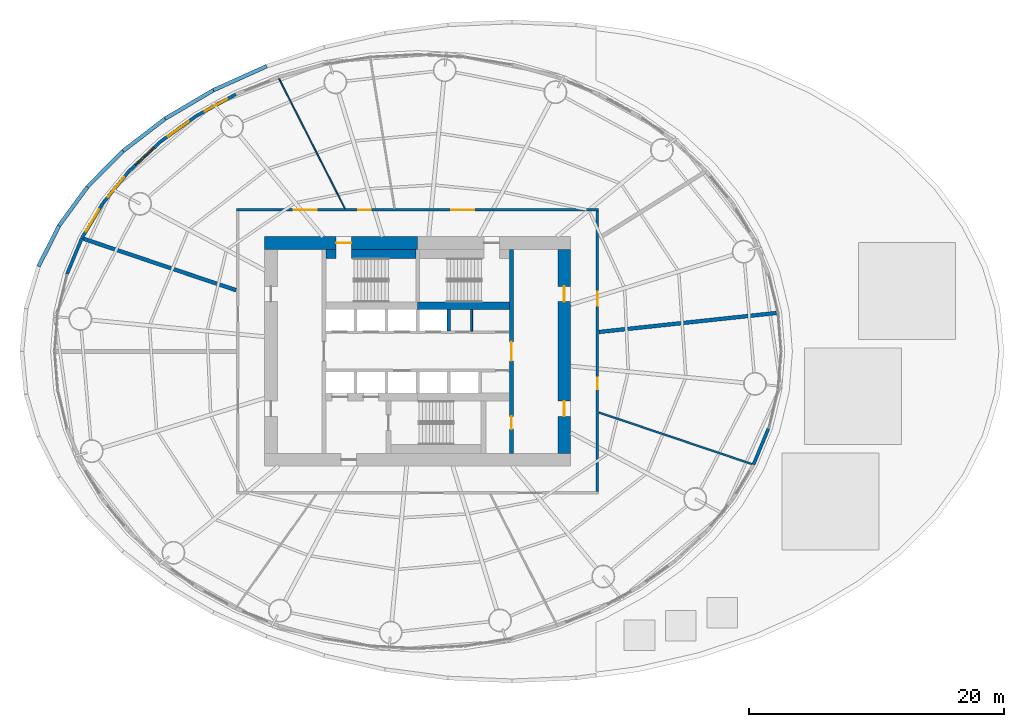
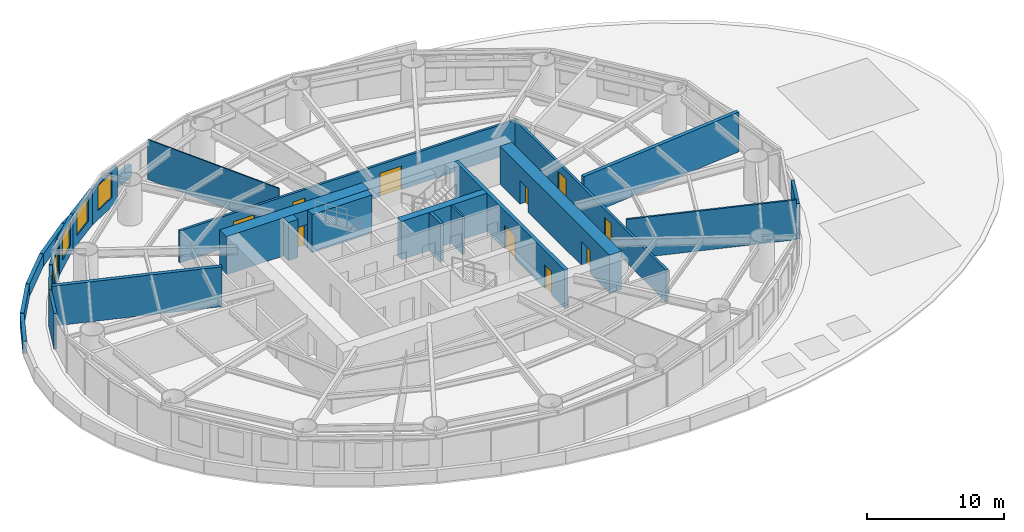
# One storey, part 9 of 11: 27 walls, 10 doors, 5 windows, 15 openings.
"""IFC4 building model written with IfcOpenShell, lengths in metres."""

from ifc_helpers import new_model, si_unit, direction, frame, frame_2d, origin, place, context, subcontext, project, spatial, rectangle, extrude, material, layer, layer_set, type_object, element, fill, save


model = new_model("IFC4")

# Units and contexts
model_context = context("Model", 3, precision=1e-05, world=origin(), true_north=direction((0.0, 1.0)))
body_context = subcontext(model_context, "Body", "Model", "MODEL_VIEW")
ifc_project = project(units=[si_unit("LENGTHUNIT", "METRE"), si_unit("AREAUNIT", "SQUARE_METRE"), si_unit("VOLUMEUNIT", "CUBIC_METRE"), si_unit("PLANEANGLEUNIT", "RADIAN"), si_unit("MASSUNIT", "GRAM", prefix="KILO")], contexts=[model_context])

# Site, building, storey
site_placement = place(None, origin())
site = spatial("IfcSite", under=ifc_project, at=site_placement, CompositionType="ELEMENT")
building_placement = place(site_placement, origin())
building = spatial("IfcBuilding", under=site, at=building_placement, Name="Vermilion Reach Broadcast Tower", CompositionType="ELEMENT")
storey_placement = place(building_placement, frame((0.0, 0.0, 36.0)))
storey = spatial("IfcBuildingStorey", under=building, at=storey_placement, Name="L05", CompositionType="ELEMENT", Elevation=36.0)

# Wall, openings, doors
ifc_material_1 = material(Name="Concrete C70", Category="concrete")
ifc_layer_1 = layer(ifc_material_1, 0.300048828125)
ifc_layer_set_1 = layer_set([ifc_layer_1], Name="Core inner wall 300 mm Concrete C70")
wall_type_1 = type_object("IfcWallType", Name="Core inner wall 300 mm Concrete C70", PredefinedType="SHEAR", material=ifc_layer_set_1)
wall_1_placement = place(storey_placement, frame((1.35009765625, -8.0, 0.0), z_axis=(0.0, 0.0, 1.0), x_axis=(0.0, 1.0, 0.0)))
wall_1 = element("IfcWall", 1, at=wall_1_placement, inside=storey, type_object=wall_type_1, Name="L05 core wall ewE", PredefinedType="SHEAR", context=body_context, shape_type="SweptSolid", body=[
    extrude(rectangle(XDim=16.0, YDim=0.300048828125, at=frame_2d((8.0, 0.0))), origin(), (0.0, 0.0, 1.0), 3.39990234375),
])
opening_1_placement = place(wall_1_placement, frame((1.909912109375, 0.0, 0.0)))
opening_1 = element("IfcOpeningElement", 2, at=opening_1_placement, cuts=wall_1, Name="Opening D05", PredefinedType="OPENING", context=body_context, shape_type="SweptSolid", body=[
    extrude(rectangle(XDim=1.0, YDim=2.10009765625, at=frame_2d((0.5, 1.050048828125))), frame((0.0, 0.159912109375, 0.0), z_axis=(0.0, -1.0, 0.0), x_axis=(1.0, 0.0, 0.0)), (0.0, 0.0, 1.0), 0.320068359375),
])
opening_2_placement = place(wall_1_placement, frame((7.25, 0.0, 0.0)))
opening_2 = element("IfcOpeningElement", 3, at=opening_2_placement, cuts=wall_1, Name="Opening D04", PredefinedType="OPENING", context=body_context, shape_type="SweptSolid", body=[
    extrude(rectangle(XDim=1.5, YDim=2.10009765625, at=frame_2d((0.75, 1.050048828125))), frame((0.0, 0.159912109375, 0.0), z_axis=(0.0, -1.0, 0.0), x_axis=(1.0, 0.0, 0.0)), (0.0, 0.0, 1.0), 0.320068359375),
])
ifc_material_2 = material(Name="Painted steel fire door", Category="steel")
door_type_1 = type_object("IfcDoorType", Name="Lift lobby door 1500 x 2100", OperationType="DOUBLE_DOOR_SINGLE_SWING", PredefinedType="NOTDEFINED", material=ifc_material_2)
door_1_placement = place(opening_2_placement, origin())
door_1 = element("IfcDoor", 4, at=door_1_placement, inside=storey, type_object=door_type_1, Name="L05 band door BE", OperationType="DOUBLE_DOOR_SINGLE_SWING", OverallHeight=2.10009765625, OverallWidth=1.5, PredefinedType="NOTDEFINED", context=body_context, shape_type="SweptSolid", body=[
    extrude(rectangle(XDim=1.5, YDim=2.10009765625, at=frame_2d((0.75, 1.050048828125))), frame((0.0, 0.02490234375, 0.0), z_axis=(0.0, -1.0, 0.0), x_axis=(1.0, 0.0, 0.0)), (0.0, 0.0, 1.0), 0.050048828125),
])
fill(opening_2, door_1)
ifc_material_3 = material(Name="Timber door", Category="wood")
door_type_2 = type_object("IfcDoorType", Name="Room door 1000 x 2100", OperationType="NOTDEFINED", PredefinedType="NOTDEFINED", material=ifc_material_3)
door_2_placement = place(opening_1_placement, origin())
door_2 = element("IfcDoor", 5, at=door_2_placement, inside=storey, type_object=door_type_2, Name="L05 door SER", OperationType="SINGLE_SWING_LEFT", OverallHeight=2.10009765625, OverallWidth=1.0, PredefinedType="NOTDEFINED", context=body_context, shape_type="SweptSolid", body=[
    extrude(rectangle(XDim=1.0, YDim=2.10009765625, at=frame_2d((0.5, 1.050048828125))), frame((0.0, 0.02490234375, 0.0), z_axis=(0.0, -1.0, 0.0), x_axis=(1.0, 0.0, 0.0)), (0.0, 0.0, 1.0), 0.050048828125),
])
fill(opening_1, door_2)

# Wall
ifc_material_4 = material(Name="Concrete C70", Category="concrete")
ifc_layer_2 = layer(ifc_material_4, 0.60009765625)
ifc_layer_set_2 = layer_set([ifc_layer_2], Name="Core inner wall 600 mm Concrete C70")
wall_type_2 = type_object("IfcWallType", Name="Core inner wall 600 mm Concrete C70", PredefinedType="SHEAR", material=ifc_layer_set_2)
wall_2_placement = place(storey_placement, frame((-6.0, 3.580078125, 0.0), z_axis=(0.0, 0.0, 1.0), x_axis=(1.0, 0.0, 0.0)))
element("IfcWall", 6, at=wall_2_placement, inside=storey, type_object=wall_type_2, Name="L05 core wall winE", PredefinedType="SHEAR", context=body_context, shape_type="SweptSolid", body=[
    extrude(rectangle(XDim=7.199951171875, YDim=0.60009765625, at=frame_2d((3.60009765625, 0.0))), origin(), (0.0, 0.0, 1.0), 3.39990234375),
])

# Wall, opening, door
ifc_material_5 = material(Name="Concrete C70", Category="concrete")
ifc_layer_3 = layer(ifc_material_5, 1.0)
ifc_layer_set_3 = layer_set([ifc_layer_3], Name="Core outer wall 1000 mm Concrete C70")
wall_type_3 = type_object("IfcWallType", Name="Core outer wall 1000 mm Concrete C70", PredefinedType="SHEAR", material=ifc_layer_set_3)
wall_3_placement = place(storey_placement, frame((-6.0, 8.5, 0.0), z_axis=(0.0, 0.0, 1.0), x_axis=(-1.0, 0.0, 0.0)))
wall_3 = element("IfcWall", 7, at=wall_3_placement, inside=storey, type_object=wall_type_3, Name="L05 core wall onW", PredefinedType="SHEAR", context=body_context, shape_type="SweptSolid", body=[
    extrude(rectangle(XDim=12.0, YDim=1.0, at=frame_2d((6.0, 0.0))), origin(), (0.0, 0.0, 1.0), 3.39990234375),
])
opening_3_placement = place(wall_3_placement, frame((5.199951171875, 0.0, 0.0)))
opening_3 = element("IfcOpeningElement", 8, at=opening_3_placement, cuts=wall_3, Name="Opening D01", PredefinedType="OPENING", context=body_context, shape_type="SweptSolid", body=[
    extrude(rectangle(XDim=1.199951171875, YDim=2.10009765625, at=frame_2d((0.60009765625, 1.050048828125))), frame((0.0, 0.510009765625, 0.0), z_axis=(0.0, -1.0, 0.0), x_axis=(1.0, 0.0, 0.0)), (0.0, 0.0, 1.0), 1.02001953125),
])
ifc_material_6 = material(Name="Painted steel fire door", Category="steel")
door_type_3 = type_object("IfcDoorType", Name="Stair door 1200 x 2100", OperationType="DOUBLE_DOOR_SINGLE_SWING", PredefinedType="NOTDEFINED", material=ifc_material_6)
door_3_placement = place(opening_3_placement, origin())
door_3 = element("IfcDoor", 9, at=door_3_placement, inside=storey, type_object=door_type_3, Name="L05 stair door ST1", OperationType="DOUBLE_DOOR_SINGLE_SWING", OverallHeight=2.10009765625, OverallWidth=1.199951171875, PredefinedType="NOTDEFINED", context=body_context, shape_type="SweptSolid", body=[
    extrude(rectangle(XDim=1.199951171875, YDim=2.10009765625, at=frame_2d((0.60009765625, 1.050048828125))), frame((0.0, 0.02490234375, 0.0), z_axis=(0.0, -1.0, 0.0), x_axis=(1.0, 0.0, 0.0)), (0.0, 0.0, 1.0), 0.050048828125),
])
fill(opening_3, door_3)

# Wall, openings, doors
wall_4_placement = place(storey_placement, frame((5.5, -8.0, 0.0), z_axis=(0.0, 0.0, 1.0), x_axis=(0.0, 1.0, 0.0)))
wall_4 = element("IfcWall", 10, at=wall_4_placement, inside=storey, type_object=wall_type_3, Name="L05 core wall oe", PredefinedType="SHEAR", context=body_context, shape_type="SweptSolid", body=[
    extrude(rectangle(XDim=16.0, YDim=1.0, at=frame_2d((8.0, 0.0))), origin(), (0.0, 0.0, 1.0), 3.39990234375),
])
opening_4_placement = place(wall_4_placement, frame((2.89990234375, 0.0, 0.0)))
opening_4 = element("IfcOpeningElement", 11, at=opening_4_placement, cuts=wall_4, Name="Opening D03", PredefinedType="OPENING", context=body_context, shape_type="SweptSolid", body=[
    extrude(rectangle(XDim=1.199951171875, YDim=2.10009765625, at=frame_2d((0.60009765625, 1.050048828125))), frame((0.0, 0.510009765625, 0.0), z_axis=(0.0, -1.0, 0.0), x_axis=(1.0, 0.0, 0.0)), (0.0, 0.0, 1.0), 1.02001953125),
])
opening_5_placement = place(wall_4_placement, frame((11.89990234375, 0.0, 0.0)))
opening_5 = element("IfcOpeningElement", 12, at=opening_5_placement, cuts=wall_4, Name="Opening D03", PredefinedType="OPENING", context=body_context, shape_type="SweptSolid", body=[
    extrude(rectangle(XDim=1.199951171875, YDim=2.10009765625, at=frame_2d((0.60009765625, 1.050048828125))), frame((0.0, 0.510009765625, 0.0), z_axis=(0.0, -1.0, 0.0), x_axis=(1.0, 0.0, 0.0)), (0.0, 0.0, 1.0), 1.02001953125),
])
ifc_material_7 = material(Name="Painted steel fire door", Category="steel")
door_type_4 = type_object("IfcDoorType", Name="Core lobby door 1200 x 2100", OperationType="DOUBLE_DOOR_SINGLE_SWING", PredefinedType="NOTDEFINED", material=ifc_material_7)
door_4_placement = place(opening_4_placement, origin())
door_4 = element("IfcDoor", 13, at=door_4_placement, inside=storey, type_object=door_type_4, Name="L05 slot door E0", OperationType="DOUBLE_DOOR_SINGLE_SWING", OverallHeight=2.10009765625, OverallWidth=1.199951171875, PredefinedType="NOTDEFINED", context=body_context, shape_type="SweptSolid", body=[
    extrude(rectangle(XDim=1.199951171875, YDim=2.10009765625, at=frame_2d((0.60009765625, 1.050048828125))), frame((0.0, 0.02490234375, 0.0), z_axis=(0.0, -1.0, 0.0), x_axis=(1.0, 0.0, 0.0)), (0.0, 0.0, 1.0), 0.050048828125),
])
fill(opening_4, door_4)
door_5_placement = place(opening_5_placement, origin())
door_5 = element("IfcDoor", 14, at=door_5_placement, inside=storey, type_object=door_type_4, Name="L05 slot door E1", OperationType="DOUBLE_DOOR_SINGLE_SWING", OverallHeight=2.10009765625, OverallWidth=1.199951171875, PredefinedType="NOTDEFINED", context=body_context, shape_type="SweptSolid", body=[
    extrude(rectangle(XDim=1.199951171875, YDim=2.10009765625, at=frame_2d((0.60009765625, 1.050048828125))), frame((0.0, 0.02490234375, 0.0), z_axis=(0.0, -1.0, 0.0), x_axis=(1.0, 0.0, 0.0)), (0.0, 0.0, 1.0), 0.050048828125),
])
fill(opening_5, door_5)

# Walls
ifc_material_8 = material(Name="Masonry block", Category="masonry")
ifc_layer_4 = layer(ifc_material_8, 0.14990234375)
ifc_layer_set_4 = layer_set([ifc_layer_4], Name="Core partition wall 150 mm Masonry block")
wall_type_4 = type_object("IfcWallType", Name="Core partition wall 150 mm Masonry block", PredefinedType="PARTITIONING", material=ifc_layer_set_4)
wall_5_placement = place(storey_placement, frame((-1.765380859375, 1.60009765625, 0.0), z_axis=(0.0, 0.0, 1.0), x_axis=(0.0, 1.0, 0.0)))
element("IfcWall", 15, at=wall_5_placement, inside=storey, type_object=wall_type_4, Name="L05 core wall prN4235", PredefinedType="PARTITIONING", context=body_context, shape_type="SweptSolid", body=[
    extrude(rectangle(XDim=1.679931640625, YDim=0.14990234375, at=frame_2d((0.83984375, 0.0))), origin(), (0.0, 0.0, 1.0), 3.39990234375),
])
ifc_material_9 = material(Name="Concrete C50", Category="concrete")
ifc_layer_5 = layer(ifc_material_9, 0.25)
ifc_layer_set_5 = layer_set([ifc_layer_5], Name="Core shaft wall 250 mm Concrete C50")
wall_type_5 = type_object("IfcWallType", Name="Core shaft wall 250 mm Concrete C50", PredefinedType="SHEAR", material=ifc_layer_set_5)
wall_6_placement = place(storey_placement, frame((-3.558349609375, 1.60009765625, 0.0), z_axis=(0.0, 0.0, 1.0), x_axis=(0.0, 1.0, 0.0)))
element("IfcWall", 16, at=wall_6_placement, inside=storey, type_object=wall_type_5, Name="L05 core wall psN3", PredefinedType="SHEAR", context=body_context, shape_type="SweptSolid", body=[
    extrude(rectangle(XDim=1.679931640625, YDim=0.25, at=frame_2d((0.83984375, 0.0))), origin(), (0.0, 0.0, 1.0), 3.39990234375),
])
ifc_material_10 = material(Name="Concrete C70", Category="concrete")
ifc_layer_6 = layer(ifc_material_10, 0.699951171875)
ifc_layer_set_6 = layer_set([ifc_layer_6], Name="Core stair wall 700 mm Concrete C70")
wall_type_6 = type_object("IfcWallType", Name="Core stair wall 700 mm Concrete C70", PredefinedType="SHEAR", material=ifc_layer_set_6)
wall_7_placement = place(storey_placement, frame((-13.199951171875, 7.64990234375, 0.0), z_axis=(0.0, 0.0, 1.0), x_axis=(1.0, 0.0, 0.0)))
element("IfcWall", 17, at=wall_7_placement, inside=storey, type_object=wall_type_6, Name="L05 core wall l1a", PredefinedType="SHEAR", context=body_context, shape_type="SweptSolid", body=[
    extrude(rectangle(XDim=0.800048828125, YDim=0.699951171875, at=frame_2d((0.39990234375, 0.0))), origin(), (0.0, 0.0, 1.0), 3.39990234375),
])
wall_8_placement = place(storey_placement, frame((-11.199951171875, 7.64990234375, 0.0), z_axis=(0.0, 0.0, 1.0), x_axis=(1.0, 0.0, 0.0)))
element("IfcWall", 18, at=wall_8_placement, inside=storey, type_object=wall_type_6, Name="L05 core wall l1b", PredefinedType="SHEAR", context=body_context, shape_type="SweptSolid", body=[
    extrude(rectangle(XDim=5.050048828125, YDim=0.699951171875, at=frame_2d((2.52490234375, 0.0))), origin(), (0.0, 0.0, 1.0), 3.39990234375),
])
ifc_material_11 = material(Name="Plasterboard on steel stud", Category="steel")
ifc_layer_7 = layer(ifc_material_11, 0.10009765625)
ifc_layer_set_7 = layer_set([ifc_layer_7], Name="Partition 100 steel stud")
wall_type_7 = type_object("IfcWallType", Name="Partition 100 steel stud", PredefinedType="PARTITIONING", material=ifc_layer_set_7)
wall_9_placement = place(storey_placement, frame((-16.884765625, 21.401123046875, 0.0), z_axis=(0.0, 0.0, 1.0), x_axis=(0.453334779339, -0.89134032661, 0.0)))
element("IfcWall", 19, at=wall_9_placement, inside=storey, type_object=wall_type_7, Name="Partition 5.04", PredefinedType="PARTITIONING", context=body_context, shape_type="SweptSolid", body=[
    extrude(rectangle(XDim=11.419189453125, YDim=0.10009765625, at=frame_2d((5.70947265625, 0.0))), origin(), (0.0, 0.0, 1.0), 3.550048828125),
])
ifc_material_12 = material(Name="Lightweight concrete block, plastered", Category="concrete")
ifc_layer_8 = layer(ifc_material_12, 0.14990234375)
ifc_layer_set_8 = layer_set([ifc_layer_8], Name="Partition 150 lightweight block")
wall_type_8 = type_object("IfcWallType", Name="Partition 150 lightweight block", PredefinedType="PARTITIONING", material=ifc_layer_set_8)
wall_10_placement = place(storey_placement, frame((20.228515625, -8.839599609375, 0.0), z_axis=(0.0, 0.0, 1.0), x_axis=(-0.947627736463, 0.319377007762, 0.0)))
element("IfcWall", 20, at=wall_10_placement, inside=storey, type_object=wall_type_8, Name="Partition 5.09", PredefinedType="PARTITIONING", context=body_context, shape_type="SweptSolid", body=[
    extrude(rectangle(XDim=12.668212890625, YDim=0.14990234375, at=frame_2d((6.333984375, 0.0))), origin(), (0.0, 0.0, 1.0), 3.550048828125),
])
ifc_material_13 = material(Name="Double-leaf plasterboard on isolated steel stud", Category="steel")
ifc_layer_9 = layer(ifc_material_13, 0.300048828125)
ifc_layer_set_9 = layer_set([ifc_layer_9], Name="Partition 300 acoustic double leaf")
wall_type_9 = type_object("IfcWallType", Name="Partition 300 acoustic double leaf", PredefinedType="PARTITIONING", material=ifc_layer_set_9)
wall_11_placement = place(storey_placement, frame((22.134033203125, 3.012939453125, 0.0), z_axis=(0.0, 0.0, 1.0), x_axis=(-0.994314695198, -0.106481392334, 0.0)))
element("IfcWall", 21, at=wall_11_placement, inside=storey, type_object=wall_type_9, Name="Partition 5.01", PredefinedType="PARTITIONING", context=body_context, shape_type="SweptSolid", body=[
    extrude(rectangle(XDim=13.99755859375, YDim=0.300048828125, at=frame_2d((6.998779296875, 0.0))), origin(), (0.0, 0.0, 1.0), 3.550048828125),
])
wall_12_placement = place(storey_placement, frame((-32.228515625, 8.839599609375, 0.0), z_axis=(0.0, 0.0, 1.0), x_axis=(0.947633412756, -0.319360165063, 0.0)))
element("IfcWall", 22, at=wall_12_placement, inside=storey, type_object=wall_type_9, Name="Partition 5.05", PredefinedType="PARTITIONING", context=body_context, shape_type="SweptSolid", body=[
    extrude(rectangle(XDim=12.642822265625, YDim=0.300048828125, at=frame_2d((6.3212890625, 0.0))), origin(), (0.0, 0.0, 1.0), 3.550048828125),
])
ifc_material_14 = material(Name="Precast concrete C40/50", Category="concrete")
ifc_layer_10 = layer(ifc_material_14, 0.300048828125)
ifc_layer_set_10 = layer_set([ifc_layer_10], Name="Podium parapet 300")
wall_type_10 = type_object("IfcWallType", Name="Podium parapet 300", PredefinedType="PARAPET", material=ifc_layer_set_10)
wall_13_placement = place(storey_placement, frame((-17.852783203125, 22.3740234375, 0.0), z_axis=(0.0, 0.0, 1.0), x_axis=(-0.911912513487, -0.410384658274, 0.0)))
element("IfcWall", 23, at=wall_13_placement, inside=storey, type_object=wall_type_10, Name="Podium parapet 07", PredefinedType="PARAPET", context=body_context, shape_type="SweptSolid", body=[
    extrude(rectangle(XDim=4.572509765625, YDim=0.300048828125, at=frame_2d((2.2861328125, 0.0))), origin(), (0.0, 0.0, 1.0), 1.10009765625),
])
wall_14_placement = place(storey_placement, frame((-22.03662109375, 20.489990234375, 0.0), z_axis=(0.0, 0.0, 1.0), x_axis=(-0.861027611146, -0.508558209888, 0.0)))
element("IfcWall", 24, at=wall_14_placement, inside=storey, type_object=wall_type_10, Name="Podium parapet 08", PredefinedType="PARAPET", context=body_context, shape_type="SweptSolid", body=[
    extrude(rectangle(XDim=4.374755859375, YDim=0.300048828125, at=frame_2d((2.1875, 0.0))), origin(), (0.0, 0.0, 1.0), 1.10009765625),
])
wall_15_placement = place(storey_placement, frame((-25.818115234375, 18.255126953125, 0.0), z_axis=(0.0, 0.0, 1.0), x_axis=(-0.793088450724, -0.609106484392, 0.0)))
element("IfcWall", 25, at=wall_15_placement, inside=storey, type_object=wall_type_10, Name="Podium parapet 09", PredefinedType="PARAPET", context=body_context, shape_type="SweptSolid", body=[
    extrude(rectangle(XDim=4.16015625, YDim=0.300048828125, at=frame_2d((2.080078125, 0.0))), origin(), (0.0, 0.0, 1.0), 1.10009765625),
])
wall_16_placement = place(storey_placement, frame((-29.132080078125, 15.708251953125, 0.0), z_axis=(0.0, 0.0, 1.0), x_axis=(-0.704282546554, -0.709919780412, 0.0)))
element("IfcWall", 26, at=wall_16_placement, inside=storey, type_object=wall_type_10, Name="Podium parapet 10", PredefinedType="PARAPET", context=body_context, shape_type="SweptSolid", body=[
    extrude(rectangle(XDim=3.941162109375, YDim=0.300048828125, at=frame_2d((1.970703125, 0.0))), origin(), (0.0, 0.0, 1.0), 1.10009765625),
])
wall_17_placement = place(storey_placement, frame((-31.922119140625, 12.8935546875, 0.0), z_axis=(0.0, 0.0, 1.0), x_axis=(-0.590742651478, -0.806860037258, 0.0)))
element("IfcWall", 27, at=wall_17_placement, inside=storey, type_object=wall_type_10, Name="Podium parapet 11", PredefinedType="PARAPET", context=body_context, shape_type="SweptSolid", body=[
    extrude(rectangle(XDim=3.733642578125, YDim=0.300048828125, at=frame_2d((1.86669921875, 0.0))), origin(), (0.0, 0.0, 1.0), 1.10009765625),
])
wall_18_placement = place(storey_placement, frame((-34.140380859375, 9.8603515625, 0.0), z_axis=(0.0, 0.0, 1.0), x_axis=(-0.450095618006, -0.892980366331, 0.0)))
element("IfcWall", 28, at=wall_18_placement, inside=storey, type_object=wall_type_10, Name="Podium parapet 12", PredefinedType="PARAPET", context=body_context, shape_type="SweptSolid", body=[
    extrude(rectangle(XDim=3.554931640625, YDim=0.300048828125, at=frame_2d((1.77734375, 0.0))), origin(), (0.0, 0.0, 1.0), 1.10009765625),
])

# Wall, opening, window
ifc_material_15 = material(Name="Terracotta rainscreen cladding", Category="masonry")
ifc_layer_11 = layer(ifc_material_15, 0.25)
ifc_layer_set_11 = layer_set([ifc_layer_11], Name="Terracotta rainscreen wall 250")
wall_type_11 = type_object("IfcWallType", Name="Terracotta rainscreen wall 250", PredefinedType="SOLIDWALL", material=ifc_layer_set_11)
wall_19_placement = place(storey_placement, frame((-20.28173828125, 20.16162109375, 0.0), z_axis=(0.0, 0.0, 1.0), x_axis=(-0.8771213679, -0.480268785134, 0.0)))
wall_19 = element("IfcWall", 29, at=wall_19_placement, inside=storey, type_object=wall_type_11, Name="External wall L05 16", PredefinedType="SOLIDWALL", context=body_context, shape_type="SweptSolid", body=[
    extrude(rectangle(XDim=3.51220703125, YDim=0.25, at=frame_2d((1.756103515625, 0.0))), origin(), (0.0, 0.0, 1.0), 3.14990234375),
])
opening_6_placement = place(wall_19_placement, frame((0.756103515625, 0.0, 0.800048828125)))
opening_6 = element("IfcOpeningElement", 30, at=opening_6_placement, cuts=wall_19, Name="Opening W01", PredefinedType="OPENING", context=body_context, shape_type="SweptSolid", body=[
    extrude(rectangle(XDim=2.0, YDim=2.199951171875, at=frame_2d((1.0, 1.10009765625))), frame((0.0, 0.135009765625, 0.0), z_axis=(0.0, -1.0, 0.0), x_axis=(1.0, 0.0, 0.0)), (0.0, 0.0, 1.0), 0.27001953125),
])
ifc_material_16 = material(Name="Low-e laminated clear glass in aluminium frame", Category="aluminium")
window_type = type_object("IfcWindowType", Name="Punched window 2000 x 2200 sill 800", PartitioningType="SINGLE_PANEL", PredefinedType="WINDOW", material=ifc_material_16)
window_1_placement = place(opening_6_placement, origin())
window_1 = element("IfcWindow", 31, at=window_1_placement, inside=storey, type_object=window_type, Name="Window L05 16", OverallHeight=2.199951171875, OverallWidth=2.0, PartitioningType="SINGLE_PANEL", PredefinedType="WINDOW", context=body_context, shape_type="SweptSolid", body=[
    extrude(rectangle(XDim=2.0, YDim=2.199951171875, at=frame_2d((1.0, 1.10009765625))), frame((0.0, 0.030029296875, 0.0), z_axis=(0.0, -1.0, 0.0), x_axis=(1.0, 0.0, 0.0)), (0.0, 0.0, 1.0), 0.06005859375),
])
fill(opening_6, window_1)

wall_20_placement = place(storey_placement, frame((-23.382080078125, 18.46240234375, 0.0), z_axis=(0.0, 0.0, 1.0), x_axis=(-0.812059685452, -0.5835743888, 0.0)))
wall_20 = element("IfcWall", 32, at=wall_20_placement, inside=storey, type_object=wall_type_11, Name="External wall L05 17", PredefinedType="SOLIDWALL", context=body_context, shape_type="SweptSolid", body=[
    extrude(rectangle(XDim=3.4267578125, YDim=0.25, at=frame_2d((1.71337890625, 0.0))), origin(), (0.0, 0.0, 1.0), 3.14990234375),
])
opening_7_placement = place(wall_20_placement, frame((0.71337890625, 0.0, 0.800048828125)))
opening_7 = element("IfcOpeningElement", 33, at=opening_7_placement, cuts=wall_20, Name="Opening W01", PredefinedType="OPENING", context=body_context, shape_type="SweptSolid", body=[
    extrude(rectangle(XDim=2.0, YDim=2.199951171875, at=frame_2d((1.0, 1.10009765625))), frame((0.0, 0.135009765625, 0.0), z_axis=(0.0, -1.0, 0.0), x_axis=(1.0, 0.0, 0.0)), (0.0, 0.0, 1.0), 0.27001953125),
])
window_2_placement = place(opening_7_placement, origin())
window_2 = element("IfcWindow", 34, at=window_2_placement, inside=storey, type_object=window_type, Name="Window L05 17", OverallHeight=2.199951171875, OverallWidth=2.0, PartitioningType="SINGLE_PANEL", PredefinedType="WINDOW", context=body_context, shape_type="SweptSolid", body=[
    extrude(rectangle(XDim=2.0, YDim=2.199951171875, at=frame_2d((1.0, 1.10009765625))), frame((0.0, 0.030029296875, 0.0), z_axis=(0.0, -1.0, 0.0), x_axis=(1.0, 0.0, 0.0)), (0.0, 0.0, 1.0), 0.06005859375),
])
fill(opening_7, window_2)

wall_21_placement = place(storey_placement, frame((-26.183349609375, 16.447509765625, 0.0), z_axis=(0.0, 0.0, 1.0), x_axis=(-0.730670592597, -0.682730170063, 0.0)))
wall_21 = element("IfcWall", 35, at=wall_21_placement, inside=storey, type_object=wall_type_11, Name="External wall L05 18", PredefinedType="SOLIDWALL", context=body_context, shape_type="SweptSolid", body=[
    extrude(rectangle(XDim=3.335693359375, YDim=0.25, at=frame_2d((1.66796875, 0.0))), origin(), (0.0, 0.0, 1.0), 3.14990234375),
])
opening_8_placement = place(wall_21_placement, frame((0.667724609375, 0.0, 0.800048828125)))
opening_8 = element("IfcOpeningElement", 36, at=opening_8_placement, cuts=wall_21, Name="Opening W01", PredefinedType="OPENING", context=body_context, shape_type="SweptSolid", body=[
    extrude(rectangle(XDim=2.0, YDim=2.199951171875, at=frame_2d((1.0, 1.10009765625))), frame((0.0, 0.135009765625, 0.0), z_axis=(0.0, -1.0, 0.0), x_axis=(1.0, 0.0, 0.0)), (0.0, 0.0, 1.0), 0.27001953125),
])
window_3_placement = place(opening_8_placement, origin())
window_3 = element("IfcWindow", 37, at=window_3_placement, inside=storey, type_object=window_type, Name="Window L05 18", OverallHeight=2.199951171875, OverallWidth=2.0, PartitioningType="SINGLE_PANEL", PredefinedType="WINDOW", context=body_context, shape_type="SweptSolid", body=[
    extrude(rectangle(XDim=2.0, YDim=2.199951171875, at=frame_2d((1.0, 1.10009765625))), frame((0.0, 0.030029296875, 0.0), z_axis=(0.0, -1.0, 0.0), x_axis=(1.0, 0.0, 0.0)), (0.0, 0.0, 1.0), 0.06005859375),
])
fill(opening_8, window_3)

wall_22_placement = place(storey_placement, frame((-28.637451171875, 14.152099609375, 0.0), z_axis=(0.0, 0.0, 1.0), x_axis=(-0.631970989947, -0.774992043743, 0.0)))
wall_22 = element("IfcWall", 38, at=wall_22_placement, inside=storey, type_object=wall_type_11, Name="External wall L05 19", PredefinedType="SOLIDWALL", context=body_context, shape_type="SweptSolid", body=[
    extrude(rectangle(XDim=3.2451171875, YDim=0.25, at=frame_2d((1.62255859375, 0.0))), origin(), (0.0, 0.0, 1.0), 3.14990234375),
])
opening_9_placement = place(wall_22_placement, frame((0.62255859375, 0.0, 0.800048828125)))
opening_9 = element("IfcOpeningElement", 39, at=opening_9_placement, cuts=wall_22, Name="Opening W01", PredefinedType="OPENING", context=body_context, shape_type="SweptSolid", body=[
    extrude(rectangle(XDim=2.0, YDim=2.199951171875, at=frame_2d((1.0, 1.10009765625))), frame((0.0, 0.135009765625, 0.0), z_axis=(0.0, -1.0, 0.0), x_axis=(1.0, 0.0, 0.0)), (0.0, 0.0, 1.0), 0.27001953125),
])
window_4_placement = place(opening_9_placement, origin())
window_4 = element("IfcWindow", 40, at=window_4_placement, inside=storey, type_object=window_type, Name="Window L05 19", OverallHeight=2.199951171875, OverallWidth=2.0, PartitioningType="SINGLE_PANEL", PredefinedType="WINDOW", context=body_context, shape_type="SweptSolid", body=[
    extrude(rectangle(XDim=2.0, YDim=2.199951171875, at=frame_2d((1.0, 1.10009765625))), frame((0.0, 0.030029296875, 0.0), z_axis=(0.0, -1.0, 0.0), x_axis=(1.0, 0.0, 0.0)), (0.0, 0.0, 1.0), 0.06005859375),
])
fill(opening_9, window_4)

wall_23_placement = place(storey_placement, frame((-30.702880859375, 11.6162109375, 0.0), z_axis=(0.0, 0.0, 1.0), x_axis=(-0.51563096518, -0.856810777096, 0.0)))
wall_23 = element("IfcWall", 41, at=wall_23_placement, inside=storey, type_object=wall_type_11, Name="External wall L05 20", PredefinedType="SOLIDWALL", context=body_context, shape_type="SweptSolid", body=[
    extrude(rectangle(XDim=3.161376953125, YDim=0.25, at=frame_2d((1.58056640625, 0.0))), origin(), (0.0, 0.0, 1.0), 3.14990234375),
])
opening_10_placement = place(wall_23_placement, frame((0.580810546875, 0.0, 0.800048828125)))
opening_10 = element("IfcOpeningElement", 42, at=opening_10_placement, cuts=wall_23, Name="Opening W01", PredefinedType="OPENING", context=body_context, shape_type="SweptSolid", body=[
    extrude(rectangle(XDim=2.0, YDim=2.199951171875, at=frame_2d((1.0, 1.10009765625))), frame((0.0, 0.135009765625, 0.0), z_axis=(0.0, -1.0, 0.0), x_axis=(1.0, 0.0, 0.0)), (0.0, 0.0, 1.0), 0.27001953125),
])
window_5_placement = place(opening_10_placement, origin())
window_5 = element("IfcWindow", 43, at=window_5_placement, inside=storey, type_object=window_type, Name="Window L05 20", OverallHeight=2.199951171875, OverallWidth=2.0, PartitioningType="SINGLE_PANEL", PredefinedType="WINDOW", context=body_context, shape_type="SweptSolid", body=[
    extrude(rectangle(XDim=2.0, YDim=2.199951171875, at=frame_2d((1.0, 1.10009765625))), frame((0.0, 0.030029296875, 0.0), z_axis=(0.0, -1.0, 0.0), x_axis=(1.0, 0.0, 0.0)), (0.0, 0.0, 1.0), 0.06005859375),
])
fill(opening_10, window_5)

# Walls
for number, where, z_axis, x_axis, name in (
    (44, (-32.34521484375, 8.8837890625, 0.0), (0.0, 0.0, 1.0), (-0.382665181283, -0.923887092146, 0.0), "External wall L05 21"),
    (45, (20.34521484375, -8.8837890625, 0.0), (0.0, 0.0, 1.0), (0.382665181283, 0.923887092146, 0.0), "External wall L05 45"),
):
    element("IfcWall", number, at=place(storey_placement, frame(where, z_axis=z_axis, x_axis=x_axis)), inside=storey, type_object=wall_type_11, Name=name, PredefinedType="SOLIDWALL", context=body_context, shape_type="SweptSolid", body=[
        extrude(rectangle(XDim=3.05029296875, YDim=0.25, at=frame_2d((1.525146484375, 0.0))), origin(), (0.0, 0.0, 1.0), 3.14990234375),
    ])

# Wall, openings, doors
ifc_material_17 = material(Name="Fire-rated gypsum board partition")
ifc_layer_12 = layer(ifc_material_17, 0.199951171875)
ifc_layer_set_12 = layer_set([ifc_layer_12], Name="Under girder: Corridor wall 200 fire-rated")
wall_type_12 = type_object("IfcWallType", Name="Under girder: Corridor wall 200 fire-rated", PredefinedType="PARTITIONING", material=ifc_layer_set_12)
wall_24_placement = place(storey_placement, frame((-20.199951171875, 11.10009765625, 0.0), z_axis=(0.0, 0.0, 1.0), x_axis=(1.0, 0.0, 0.0)))
wall_24 = element("IfcWall", 46, at=wall_24_placement, inside=storey, type_object=wall_type_12, Name="Corridor wall 5.N", PredefinedType="PARTITIONING", context=body_context, shape_type="SweptSolid", body=[
    extrude(rectangle(XDim=28.39990234375, YDim=0.199951171875, at=frame_2d((14.199951171875, 0.0))), origin(), (0.0, 0.0, 1.0), 2.85009765625),
])
opening_11_placement = place(wall_24_placement, frame((16.852783203125, 0.0, 0.0)))
opening_11 = element("IfcOpeningElement", 47, at=opening_11_placement, cuts=wall_24, Name="Opening D21", PredefinedType="OPENING", context=body_context, shape_type="SweptSolid", body=[
    extrude(rectangle(XDim=1.800048828125, YDim=2.10009765625, at=frame_2d((0.89990234375, 1.050048828125))), frame((0.0, 0.10986328125, 0.0), z_axis=(0.0, -1.0, 0.0), x_axis=(1.0, 0.0, 0.0)), (0.0, 0.0, 1.0), 0.219970703125),
])
opening_12_placement = place(wall_24_placement, frame((9.529541015625, 0.0, 0.0)))
opening_12 = element("IfcOpeningElement", 48, at=opening_12_placement, cuts=wall_24, Name="Opening D20", PredefinedType="OPENING", context=body_context, shape_type="SweptSolid", body=[
    extrude(rectangle(XDim=1.0, YDim=2.10009765625, at=frame_2d((0.5, 1.050048828125))), frame((0.0, 0.10986328125, 0.0), z_axis=(0.0, -1.0, 0.0), x_axis=(1.0, 0.0, 0.0)), (0.0, 0.0, 1.0), 0.219970703125),
])
opening_13_placement = place(wall_24_placement, frame((4.492431640625, 0.0, 0.0)))
opening_13 = element("IfcOpeningElement", 49, at=opening_13_placement, cuts=wall_24, Name="Opening D21", PredefinedType="OPENING", context=body_context, shape_type="SweptSolid", body=[
    extrude(rectangle(XDim=1.800048828125, YDim=2.10009765625, at=frame_2d((0.89990234375, 1.050048828125))), frame((0.0, 0.10986328125, 0.0), z_axis=(0.0, -1.0, 0.0), x_axis=(1.0, 0.0, 0.0)), (0.0, 0.0, 1.0), 0.219970703125),
])
ifc_material_18 = material(Name="Timber door leaf", Category="wood")
door_type_5 = type_object("IfcDoorType", Name="Door pair 1800x2100", OperationType="NOTDEFINED", PredefinedType="DOOR", material=ifc_material_18)
door_6_placement = place(opening_11_placement, origin())
door_6 = element("IfcDoor", 50, at=door_6_placement, inside=storey, type_object=door_type_5, Name="Door 5.02", OperationType="DOUBLE_DOOR_SINGLE_SWING", OverallHeight=2.10009765625, OverallWidth=1.800048828125, PredefinedType="DOOR", context=body_context, shape_type="SweptSolid", body=[
    extrude(rectangle(XDim=1.800048828125, YDim=2.10009765625, at=frame_2d((0.89990234375, 1.050048828125))), frame((0.0, 0.02490234375, 0.0), z_axis=(0.0, -1.0, 0.0), x_axis=(1.0, 0.0, 0.0)), (0.0, 0.0, 1.0), 0.050048828125),
])
fill(opening_11, door_6)
door_7_placement = place(opening_13_placement, origin())
door_7 = element("IfcDoor", 51, at=door_7_placement, inside=storey, type_object=door_type_5, Name="Door 5.04", OperationType="DOUBLE_DOOR_SINGLE_SWING", OverallHeight=2.10009765625, OverallWidth=1.800048828125, PredefinedType="DOOR", context=body_context, shape_type="SweptSolid", body=[
    extrude(rectangle(XDim=1.800048828125, YDim=2.10009765625, at=frame_2d((0.89990234375, 1.050048828125))), frame((0.0, 0.02490234375, 0.0), z_axis=(0.0, -1.0, 0.0), x_axis=(1.0, 0.0, 0.0)), (0.0, 0.0, 1.0), 0.050048828125),
])
fill(opening_13, door_7)
ifc_material_19 = material(Name="Timber door leaf", Category="wood")
door_type_6 = type_object("IfcDoorType", Name="Door single 1000x2100", OperationType="NOTDEFINED", PredefinedType="DOOR", material=ifc_material_19)
door_8_placement = place(opening_12_placement, origin())
door_8 = element("IfcDoor", 52, at=door_8_placement, inside=storey, type_object=door_type_6, Name="Door 5.03", OperationType="SINGLE_SWING_LEFT", OverallHeight=2.10009765625, OverallWidth=1.0, PredefinedType="DOOR", context=body_context, shape_type="SweptSolid", body=[
    extrude(rectangle(XDim=1.0, YDim=2.10009765625, at=frame_2d((0.5, 1.050048828125))), frame((0.0, 0.02490234375, 0.0), z_axis=(0.0, -1.0, 0.0), x_axis=(1.0, 0.0, 0.0)), (0.0, 0.0, 1.0), 0.050048828125),
])
fill(opening_12, door_8)

wall_25_placement = place(storey_placement, frame((8.10009765625, 11.0, 0.0), z_axis=(0.0, 0.0, 1.0), x_axis=(0.0, -1.0, 0.0)))
wall_25 = element("IfcWall", 53, at=wall_25_placement, inside=storey, type_object=wall_type_12, Name="Corridor wall 5.E", PredefinedType="PARTITIONING", context=body_context, shape_type="SweptSolid", body=[
    extrude(rectangle(XDim=22.0, YDim=0.199951171875, at=frame_2d((11.0, 0.0))), origin(), (0.0, 0.0, 1.0), 2.85009765625),
])
opening_14_placement = place(wall_25_placement, frame((6.304931640625, 0.0, 0.0)))
opening_14 = element("IfcOpeningElement", 54, at=opening_14_placement, cuts=wall_25, Name="Opening D28", PredefinedType="OPENING", context=body_context, shape_type="SweptSolid", body=[
    extrude(rectangle(XDim=1.10009765625, YDim=2.10009765625, at=frame_2d((0.550048828125, 1.050048828125))), frame((0.0, 0.10986328125, 0.0), z_axis=(0.0, -1.0, 0.0), x_axis=(1.0, 0.0, 0.0)), (0.0, 0.0, 1.0), 0.219970703125),
])
opening_15_placement = place(wall_25_placement, frame((13.063720703125, 0.0, 0.0)))
opening_15 = element("IfcOpeningElement", 55, at=opening_15_placement, cuts=wall_25, Name="Opening D22", PredefinedType="OPENING", context=body_context, shape_type="SweptSolid", body=[
    extrude(rectangle(XDim=0.89990234375, YDim=2.10009765625, at=frame_2d((0.449951171875, 1.050048828125))), frame((0.0, 0.10986328125, 0.0), z_axis=(0.0, -1.0, 0.0), x_axis=(1.0, 0.0, 0.0)), (0.0, 0.0, 1.0), 0.219970703125),
])
ifc_material_20 = material(Name="Acoustic sound-lock door leaf")
door_type_7 = type_object("IfcDoorType", Name="Door single 1100x2100", OperationType="NOTDEFINED", PredefinedType="DOOR", material=ifc_material_20)
door_9_placement = place(opening_14_placement, origin())
door_9 = element("IfcDoor", 56, at=door_9_placement, inside=storey, type_object=door_type_7, Name="Door 5.01", OperationType="SINGLE_SWING_RIGHT", OverallHeight=2.10009765625, OverallWidth=1.10009765625, PredefinedType="DOOR", context=body_context, shape_type="SweptSolid", body=[
    extrude(rectangle(XDim=1.10009765625, YDim=2.10009765625, at=frame_2d((0.550048828125, 1.050048828125))), frame((0.0, 0.02490234375, 0.0), z_axis=(0.0, -1.0, 0.0), x_axis=(1.0, 0.0, 0.0)), (0.0, 0.0, 1.0), 0.050048828125),
])
fill(opening_14, door_9)
ifc_material_21 = material(Name="Timber door leaf", Category="wood")
door_type_8 = type_object("IfcDoorType", Name="Door single 900x2100", OperationType="NOTDEFINED", PredefinedType="DOOR", material=ifc_material_21)
door_10_placement = place(opening_15_placement, origin())
door_10 = element("IfcDoor", 57, at=door_10_placement, inside=storey, type_object=door_type_8, Name="Door 5.09", OperationType="SINGLE_SWING_RIGHT", OverallHeight=2.10009765625, OverallWidth=0.89990234375, PredefinedType="DOOR", context=body_context, shape_type="SweptSolid", body=[
    extrude(rectangle(XDim=0.89990234375, YDim=2.10009765625, at=frame_2d((0.449951171875, 1.050048828125))), frame((0.0, 0.02490234375, 0.0), z_axis=(0.0, -1.0, 0.0), x_axis=(1.0, 0.0, 0.0)), (0.0, 0.0, 1.0), 0.050048828125),
])
fill(opening_15, door_10)

save(model, "model.ifc")
